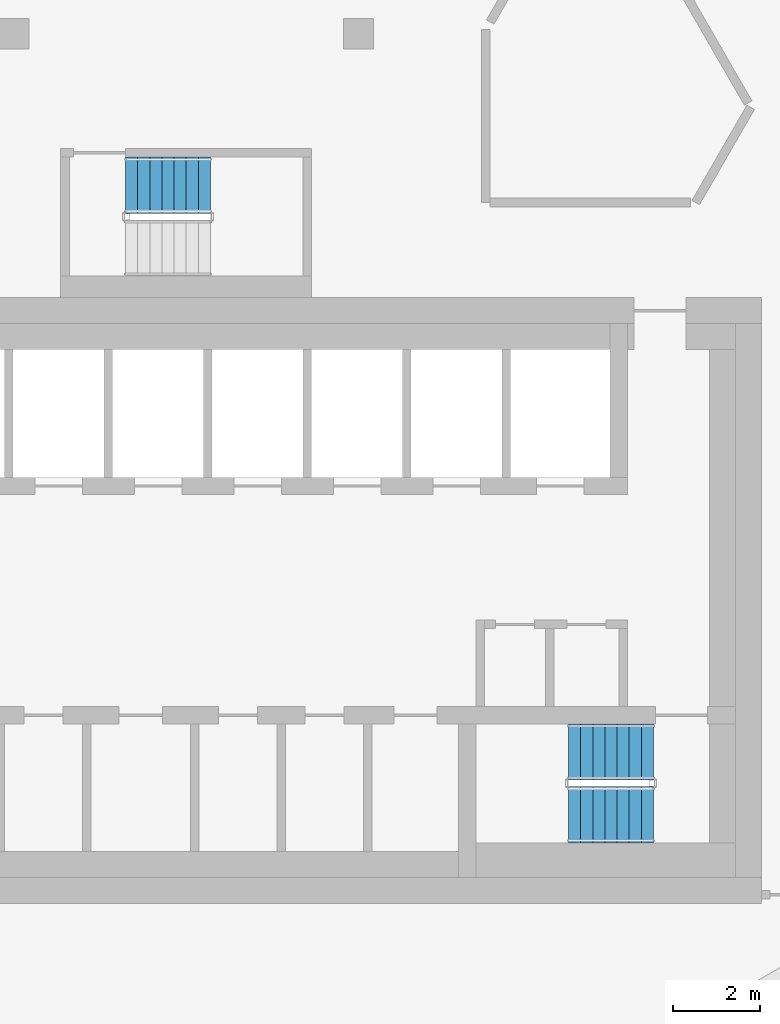
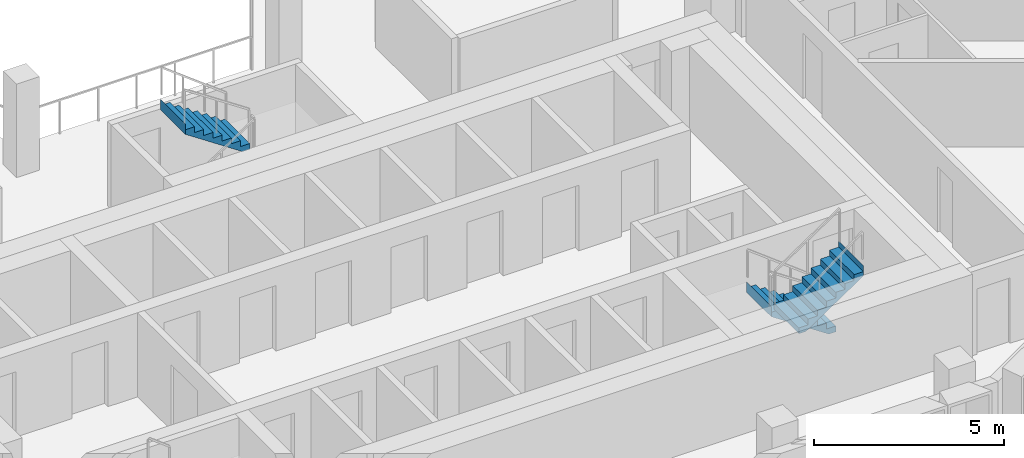
# One storey, part 10 of 15: 3 stair flights, 2 elements without a shape of their own.
"""IFC4 building model written with IfcOpenShell, lengths in metres."""

from ifc_helpers import new_model, si_unit, direction, frame, origin, place, context, subcontext, project, spatial, triangles, material, type_object, element, aggregate, save


model = new_model("IFC4")

# Units and contexts
model_context = context("Model", 3, precision=1e-05, world=origin(), true_north=direction((0.0, 1.0)))
body_context = subcontext(model_context, "Body", "Model", "MODEL_VIEW")
ifc_project = project(units=[si_unit("LENGTHUNIT", "METRE"), si_unit("AREAUNIT", "SQUARE_METRE"), si_unit("VOLUMEUNIT", "CUBIC_METRE"), si_unit("PLANEANGLEUNIT", "RADIAN"), si_unit("MASSUNIT", "GRAM", prefix="KILO")], contexts=[model_context])

# Site, building, storey
site_placement = place(None, origin())
site = spatial("IfcSite", under=ifc_project, at=site_placement, CompositionType="ELEMENT")
building_placement = place(site_placement, origin())
building = spatial("IfcBuilding", under=site, at=building_placement, Name="Beryl Residences", CompositionType="ELEMENT")
storey_placement = place(building_placement, frame((0.0, 0.0, 169.199951171875)))
storey = spatial("IfcBuildingStorey", under=building, at=storey_placement, Name="L51", CompositionType="ELEMENT", Elevation=169.199951171875)

# Stair, stair flights
ifc_material_1 = material(Name="Concrete C40/50", Category="concrete")
stair_type = type_object("IfcStairType", Name="ST1 protected exit stair, half-turn, 1300 mm flights", PredefinedType="HALF_TURN_STAIR", material=ifc_material_1)
stair_1_placement = place(storey_placement, origin())
stair_1 = element("IfcStair", 1, at=stair_1_placement, inside=storey, type_object=stair_type, Name="L51 PROTECTED EXIT STAIR ST-3", PredefinedType="HALF_TURN_STAIR")
ifc_material_2 = material(Name="Concrete C40/50", Category="concrete")
stair_flight_type = type_object("IfcStairFlightType", Name="SF1 stair flight 1300 mm", PredefinedType="STRAIGHT", material=ifc_material_2)
stair_flight_1_placement = place(storey_placement, frame((10.800048828125, -15.5, 0.0), z_axis=(0.0, 0.0, 1.0), x_axis=(-1.0, 0.0, 0.0)))
stair_flight_1 = element("IfcStairFlight", 2, at=stair_flight_1_placement, type_object=stair_flight_type, Name="ST-3 flight 1", NumberOfRisers=8, NumberOfTreads=7, PredefinedType="STRAIGHT", RiserHeight=0.1875, TreadLength=0.28, context=body_context, shape_type="Tessellation", body=[
    triangles([(0.0, -0.64990234375, 0.0), (0.0, -0.324951171875, 0.0), (0.0, 0.0, 0.0), (0.0, 0.324951171875, 0.0), (0.0, 0.64990234375, 0.0), (0.0, -0.64990234375, 0.1875), (0.0, -0.324951171875, 0.1875), (0.0, 0.0, 0.1875), (0.0, 0.324951171875, 0.1875), (0.0, 0.64990234375, 0.1875), (0.280029296875, -0.64990234375, 0.1875), (0.280029296875, -0.324951171875, 0.1875), (0.280029296875, 0.0, 0.1875), (0.280029296875, 0.324951171875, 0.1875), (0.280029296875, 0.64990234375, 0.1875), (0.280029296875, -0.64990234375, 0.375), (0.280029296875, -0.324951171875, 0.375), (0.280029296875, 0.0, 0.375), (0.280029296875, 0.324951171875, 0.375), (0.280029296875, 0.64990234375, 0.375), (0.56005859375, -0.64990234375, 0.375), (0.56005859375, -0.324951171875, 0.375), (0.56005859375, 0.0, 0.375), (0.56005859375, 0.324951171875, 0.375), (0.56005859375, 0.64990234375, 0.375), (0.56005859375, -0.64990234375, 0.5625), (0.56005859375, -0.324951171875, 0.5625), (0.56005859375, 0.0, 0.5625), (0.56005859375, 0.324951171875, 0.5625), (0.56005859375, 0.64990234375, 0.5625), (0.840087890625, -0.64990234375, 0.5625), (0.840087890625, -0.324951171875, 0.5625), (0.840087890625, 0.0, 0.5625), (0.840087890625, 0.324951171875, 0.5625), (0.840087890625, 0.64990234375, 0.5625), (0.840087890625, -0.64990234375, 0.75), (0.840087890625, -0.324951171875, 0.75), (0.840087890625, 0.0, 0.75), (0.840087890625, 0.324951171875, 0.75), (0.840087890625, 0.64990234375, 0.75), (1.1201171875, -0.64990234375, 0.75), (1.1201171875, -0.324951171875, 0.75), (1.1201171875, 0.0, 0.75), (1.1201171875, 0.324951171875, 0.75), (1.1201171875, 0.64990234375, 0.75), (1.1201171875, -0.64990234375, 0.9375), (1.1201171875, -0.324951171875, 0.9375), (1.1201171875, 0.0, 0.9375), (1.1201171875, 0.324951171875, 0.9375), (1.1201171875, 0.64990234375, 0.9375), (1.39990234375, -0.64990234375, 0.9375), (1.39990234375, -0.324951171875, 0.9375), (1.39990234375, 0.0, 0.9375), (1.39990234375, 0.324951171875, 0.9375), (1.39990234375, 0.64990234375, 0.9375), (1.39990234375, -0.64990234375, 1.125), (1.39990234375, -0.324951171875, 1.125), (1.39990234375, 0.0, 1.125), (1.39990234375, 0.324951171875, 1.125), (1.39990234375, 0.64990234375, 1.125), (1.679931640625, -0.64990234375, 1.125), (1.679931640625, -0.324951171875, 1.125), (1.679931640625, 0.0, 1.125), (1.679931640625, 0.324951171875, 1.125), (1.679931640625, 0.64990234375, 1.125), (1.679931640625, -0.64990234375, 1.3125), (1.679931640625, -0.324951171875, 1.3125), (1.679931640625, 0.0, 1.3125), (1.679931640625, 0.324951171875, 1.3125), (1.679931640625, 0.64990234375, 1.3125), (1.9599609375, -0.64990234375, 1.3125), (1.9599609375, -0.324951171875, 1.3125), (1.9599609375, 0.0, 1.3125), (1.9599609375, 0.324951171875, 1.3125), (1.9599609375, 0.64990234375, 1.3125), (1.9599609375, -0.64990234375, 1.5), (1.9599609375, -0.324951171875, 1.5), (1.9599609375, 0.0, 1.5), (1.9599609375, 0.324951171875, 1.5), (1.9599609375, 0.64990234375, 1.5), (1.9609375, -0.64990234375, 1.5), (1.9609375, -0.324951171875, 1.5), (1.9609375, 0.0, 1.5), (1.9609375, 0.324951171875, 1.5), (1.9609375, 0.64990234375, 1.5), (1.9609375, -0.64990234375, 1.16796875), (1.9609375, -0.324951171875, 1.16796875), (1.9609375, 0.0, 1.16796875), (1.9609375, 0.324951171875, 1.16796875), (1.9609375, 0.64990234375, 1.16796875), (0.216796875, -0.64990234375, 0.0), (0.216796875, -0.324951171875, 0.0), (0.216796875, 0.0, 0.0), (0.216796875, 0.324951171875, 0.0), (0.216796875, 0.64990234375, 0.0)], [[1, 6, 7], [1, 7, 2], [2, 7, 8], [2, 8, 3], [3, 8, 9], [3, 9, 4], [4, 9, 10], [4, 10, 5], [6, 11, 12], [6, 12, 7], [7, 12, 13], [7, 13, 8], [8, 13, 14], [8, 14, 9], [9, 14, 15], [9, 15, 10], [11, 16, 17], [11, 17, 12], [12, 17, 18], [12, 18, 13], [13, 18, 19], [13, 19, 14], [14, 19, 20], [14, 20, 15], [16, 21, 22], [16, 22, 17], [17, 22, 23], [17, 23, 18], [18, 23, 24], [18, 24, 19], [19, 24, 25], [19, 25, 20], [21, 26, 27], [21, 27, 22], [22, 27, 28], [22, 28, 23], [23, 28, 29], [23, 29, 24], [24, 29, 30], [24, 30, 25], [26, 31, 32], [26, 32, 27], [27, 32, 33], [27, 33, 28], [28, 33, 34], [28, 34, 29], [29, 34, 35], [29, 35, 30], [31, 36, 37], [31, 37, 32], [32, 37, 38], [32, 38, 33], [33, 38, 39], [33, 39, 34], [34, 39, 40], [34, 40, 35], [36, 41, 42], [36, 42, 37], [37, 42, 43], [37, 43, 38], [38, 43, 44], [38, 44, 39], [39, 44, 45], [39, 45, 40], [41, 46, 47], [41, 47, 42], [42, 47, 48], [42, 48, 43], [43, 48, 49], [43, 49, 44], [44, 49, 50], [44, 50, 45], [46, 51, 52], [46, 52, 47], [47, 52, 53], [47, 53, 48], [48, 53, 54], [48, 54, 49], [49, 54, 55], [49, 55, 50], [51, 56, 57], [51, 57, 52], [52, 57, 58], [52, 58, 53], [53, 58, 59], [53, 59, 54], [54, 59, 60], [54, 60, 55], [56, 61, 62], [56, 62, 57], [57, 62, 63], [57, 63, 58], [58, 63, 64], [58, 64, 59], [59, 64, 65], [59, 65, 60], [61, 66, 67], [61, 67, 62], [62, 67, 68], [62, 68, 63], [63, 68, 69], [63, 69, 64], [64, 69, 70], [64, 70, 65], [66, 71, 72], [66, 72, 67], [67, 72, 73], [67, 73, 68], [68, 73, 74], [68, 74, 69], [69, 74, 75], [69, 75, 70], [71, 76, 77], [71, 77, 72], [72, 77, 78], [72, 78, 73], [73, 78, 79], [73, 79, 74], [74, 79, 80], [74, 80, 75], [76, 81, 82], [76, 82, 77], [77, 82, 83], [77, 83, 78], [78, 83, 84], [78, 84, 79], [79, 84, 85], [79, 85, 80], [81, 86, 87], [81, 87, 82], [82, 87, 88], [82, 88, 83], [83, 88, 89], [83, 89, 84], [84, 89, 90], [84, 90, 85], [86, 91, 92], [86, 92, 87], [87, 92, 93], [87, 93, 88], [88, 93, 94], [88, 94, 89], [89, 94, 95], [89, 95, 90], [91, 1, 2], [91, 2, 92], [92, 2, 3], [92, 3, 93], [93, 3, 4], [93, 4, 94], [94, 4, 5], [94, 5, 95], [1, 91, 86], [5, 90, 95], [86, 81, 76], [90, 80, 85], [86, 76, 71], [90, 75, 80], [86, 71, 66], [90, 70, 75], [86, 66, 61], [90, 65, 70], [61, 56, 51], [65, 55, 60], [86, 61, 51], [90, 55, 65], [51, 46, 41], [55, 45, 50], [86, 51, 41], [90, 45, 55], [41, 36, 31], [45, 35, 40], [86, 41, 31], [90, 35, 45], [31, 26, 21], [35, 25, 30], [86, 31, 21], [90, 25, 35], [21, 16, 11], [25, 15, 20], [86, 21, 11], [90, 15, 25], [1, 86, 11], [5, 15, 90], [11, 6, 1], [15, 5, 10]], closed=True),
])
stair_flight_2_placement = place(storey_placement, frame((8.840087890625, -16.949951171875, 1.5), z_axis=(0.0, 0.0, 1.0), x_axis=(1.0, 0.0, 0.0)))
stair_flight_2 = element("IfcStairFlight", 3, at=stair_flight_2_placement, type_object=stair_flight_type, Name="ST-3 flight 2", NumberOfRisers=8, NumberOfTreads=7, PredefinedType="STRAIGHT", RiserHeight=0.1875, TreadLength=0.28, context=body_context, shape_type="Tessellation", body=[
    triangles([(0.0, -0.64990234375, 0.0), (0.0, -0.324951171875, 0.0), (0.0, 0.0, 0.0), (0.0, 0.324951171875, 0.0), (0.0, 0.64990234375, 0.0), (0.0, -0.64990234375, 0.1875), (0.0, -0.324951171875, 0.1875), (0.0, 0.0, 0.1875), (0.0, 0.324951171875, 0.1875), (0.0, 0.64990234375, 0.1875), (0.280029296875, -0.64990234375, 0.1875), (0.280029296875, -0.324951171875, 0.1875), (0.280029296875, 0.0, 0.1875), (0.280029296875, 0.324951171875, 0.1875), (0.280029296875, 0.64990234375, 0.1875), (0.280029296875, -0.64990234375, 0.375), (0.280029296875, -0.324951171875, 0.375), (0.280029296875, 0.0, 0.375), (0.280029296875, 0.324951171875, 0.375), (0.280029296875, 0.64990234375, 0.375), (0.56005859375, -0.64990234375, 0.375), (0.56005859375, -0.324951171875, 0.375), (0.56005859375, 0.0, 0.375), (0.56005859375, 0.324951171875, 0.375), (0.56005859375, 0.64990234375, 0.375), (0.56005859375, -0.64990234375, 0.5625), (0.56005859375, -0.324951171875, 0.5625), (0.56005859375, 0.0, 0.5625), (0.56005859375, 0.324951171875, 0.5625), (0.56005859375, 0.64990234375, 0.5625), (0.840087890625, -0.64990234375, 0.5625), (0.840087890625, -0.324951171875, 0.5625), (0.840087890625, 0.0, 0.5625), (0.840087890625, 0.324951171875, 0.5625), (0.840087890625, 0.64990234375, 0.5625), (0.840087890625, -0.64990234375, 0.75), (0.840087890625, -0.324951171875, 0.75), (0.840087890625, 0.0, 0.75), (0.840087890625, 0.324951171875, 0.75), (0.840087890625, 0.64990234375, 0.75), (1.1201171875, -0.64990234375, 0.75), (1.1201171875, -0.324951171875, 0.75), (1.1201171875, 0.0, 0.75), (1.1201171875, 0.324951171875, 0.75), (1.1201171875, 0.64990234375, 0.75), (1.1201171875, -0.64990234375, 0.9375), (1.1201171875, -0.324951171875, 0.9375), (1.1201171875, 0.0, 0.9375), (1.1201171875, 0.324951171875, 0.9375), (1.1201171875, 0.64990234375, 0.9375), (1.39990234375, -0.64990234375, 0.9375), (1.39990234375, -0.324951171875, 0.9375), (1.39990234375, 0.0, 0.9375), (1.39990234375, 0.324951171875, 0.9375), (1.39990234375, 0.64990234375, 0.9375), (1.39990234375, -0.64990234375, 1.125), (1.39990234375, -0.324951171875, 1.125), (1.39990234375, 0.0, 1.125), (1.39990234375, 0.324951171875, 1.125), (1.39990234375, 0.64990234375, 1.125), (1.679931640625, -0.64990234375, 1.125), (1.679931640625, -0.324951171875, 1.125), (1.679931640625, 0.0, 1.125), (1.679931640625, 0.324951171875, 1.125), (1.679931640625, 0.64990234375, 1.125), (1.679931640625, -0.64990234375, 1.3125), (1.679931640625, -0.324951171875, 1.3125), (1.679931640625, 0.0, 1.3125), (1.679931640625, 0.324951171875, 1.3125), (1.679931640625, 0.64990234375, 1.3125), (1.9599609375, -0.64990234375, 1.3125), (1.9599609375, -0.324951171875, 1.3125), (1.9599609375, 0.0, 1.3125), (1.9599609375, 0.324951171875, 1.3125), (1.9599609375, 0.64990234375, 1.3125), (1.9599609375, -0.64990234375, 1.5), (1.9599609375, -0.324951171875, 1.5), (1.9599609375, 0.0, 1.5), (1.9599609375, 0.324951171875, 1.5), (1.9599609375, 0.64990234375, 1.5), (1.9609375, -0.64990234375, 1.5), (1.9609375, -0.324951171875, 1.5), (1.9609375, 0.0, 1.5), (1.9609375, 0.324951171875, 1.5), (1.9609375, 0.64990234375, 1.5), (1.9609375, -0.64990234375, 1.16796875), (1.9609375, -0.324951171875, 1.16796875), (1.9609375, 0.0, 1.16796875), (1.9609375, 0.324951171875, 1.16796875), (1.9609375, 0.64990234375, 1.16796875), (0.216796875, -0.64990234375, 0.0), (0.216796875, -0.324951171875, 0.0), (0.216796875, 0.0, 0.0), (0.216796875, 0.324951171875, 0.0), (0.216796875, 0.64990234375, 0.0)], [[1, 6, 7], [1, 7, 2], [2, 7, 8], [2, 8, 3], [3, 8, 9], [3, 9, 4], [4, 9, 10], [4, 10, 5], [6, 11, 12], [6, 12, 7], [7, 12, 13], [7, 13, 8], [8, 13, 14], [8, 14, 9], [9, 14, 15], [9, 15, 10], [11, 16, 17], [11, 17, 12], [12, 17, 18], [12, 18, 13], [13, 18, 19], [13, 19, 14], [14, 19, 20], [14, 20, 15], [16, 21, 22], [16, 22, 17], [17, 22, 23], [17, 23, 18], [18, 23, 24], [18, 24, 19], [19, 24, 25], [19, 25, 20], [21, 26, 27], [21, 27, 22], [22, 27, 28], [22, 28, 23], [23, 28, 29], [23, 29, 24], [24, 29, 30], [24, 30, 25], [26, 31, 32], [26, 32, 27], [27, 32, 33], [27, 33, 28], [28, 33, 34], [28, 34, 29], [29, 34, 35], [29, 35, 30], [31, 36, 37], [31, 37, 32], [32, 37, 38], [32, 38, 33], [33, 38, 39], [33, 39, 34], [34, 39, 40], [34, 40, 35], [36, 41, 42], [36, 42, 37], [37, 42, 43], [37, 43, 38], [38, 43, 44], [38, 44, 39], [39, 44, 45], [39, 45, 40], [41, 46, 47], [41, 47, 42], [42, 47, 48], [42, 48, 43], [43, 48, 49], [43, 49, 44], [44, 49, 50], [44, 50, 45], [46, 51, 52], [46, 52, 47], [47, 52, 53], [47, 53, 48], [48, 53, 54], [48, 54, 49], [49, 54, 55], [49, 55, 50], [51, 56, 57], [51, 57, 52], [52, 57, 58], [52, 58, 53], [53, 58, 59], [53, 59, 54], [54, 59, 60], [54, 60, 55], [56, 61, 62], [56, 62, 57], [57, 62, 63], [57, 63, 58], [58, 63, 64], [58, 64, 59], [59, 64, 65], [59, 65, 60], [61, 66, 67], [61, 67, 62], [62, 67, 68], [62, 68, 63], [63, 68, 69], [63, 69, 64], [64, 69, 70], [64, 70, 65], [66, 71, 72], [66, 72, 67], [67, 72, 73], [67, 73, 68], [68, 73, 74], [68, 74, 69], [69, 74, 75], [69, 75, 70], [71, 76, 77], [71, 77, 72], [72, 77, 78], [72, 78, 73], [73, 78, 79], [73, 79, 74], [74, 79, 80], [74, 80, 75], [76, 81, 82], [76, 82, 77], [77, 82, 83], [77, 83, 78], [78, 83, 84], [78, 84, 79], [79, 84, 85], [79, 85, 80], [81, 86, 87], [81, 87, 82], [82, 87, 88], [82, 88, 83], [83, 88, 89], [83, 89, 84], [84, 89, 90], [84, 90, 85], [86, 91, 92], [86, 92, 87], [87, 92, 93], [87, 93, 88], [88, 93, 94], [88, 94, 89], [89, 94, 95], [89, 95, 90], [91, 1, 2], [91, 2, 92], [92, 2, 3], [92, 3, 93], [93, 3, 4], [93, 4, 94], [94, 4, 5], [94, 5, 95], [1, 91, 86], [5, 90, 95], [86, 81, 76], [90, 80, 85], [86, 76, 71], [90, 75, 80], [86, 71, 66], [90, 70, 75], [86, 66, 61], [90, 65, 70], [61, 56, 51], [65, 55, 60], [86, 61, 51], [90, 55, 65], [51, 46, 41], [55, 45, 50], [86, 51, 41], [90, 45, 55], [41, 36, 31], [45, 35, 40], [86, 41, 31], [90, 35, 45], [31, 26, 21], [35, 25, 30], [86, 31, 21], [90, 25, 35], [21, 16, 11], [25, 15, 20], [86, 21, 11], [90, 15, 25], [1, 86, 11], [5, 15, 90], [11, 6, 1], [15, 5, 10]], closed=True),
])
aggregate(stair_1, [stair_flight_1, stair_flight_2])

# Stair, stair flight
stair_2_placement = place(storey_placement, origin())
stair_2 = element("IfcStair", 4, at=stair_2_placement, inside=storey, type_object=stair_type, Name="L51 PROTECTED EXIT STAIR ST-4", PredefinedType="HALF_TURN_STAIR")
stair_flight_3_placement = place(storey_placement, frame((0.56005859375, -2.39990234375, 1.5), z_axis=(0.0, 0.0, 1.0), x_axis=(-1.0, 0.0, 0.0)))
stair_flight_3 = element("IfcStairFlight", 5, at=stair_flight_3_placement, type_object=stair_flight_type, Name="ST-4 flight 2", NumberOfRisers=8, NumberOfTreads=7, PredefinedType="STRAIGHT", RiserHeight=0.1875, TreadLength=0.28, context=body_context, shape_type="Tessellation", body=[
    triangles([(0.0, -0.64990234375, 0.0), (0.0, -0.324951171875, 0.0), (0.0, 0.0, 0.0), (0.0, 0.324951171875, 0.0), (0.0, 0.64990234375, 0.0), (0.0, -0.64990234375, 0.1875), (0.0, -0.324951171875, 0.1875), (0.0, 0.0, 0.1875), (0.0, 0.324951171875, 0.1875), (0.0, 0.64990234375, 0.1875), (0.280029296875, -0.64990234375, 0.1875), (0.280029296875, -0.324951171875, 0.1875), (0.280029296875, 0.0, 0.1875), (0.280029296875, 0.324951171875, 0.1875), (0.280029296875, 0.64990234375, 0.1875), (0.280029296875, -0.64990234375, 0.375), (0.280029296875, -0.324951171875, 0.375), (0.280029296875, 0.0, 0.375), (0.280029296875, 0.324951171875, 0.375), (0.280029296875, 0.64990234375, 0.375), (0.56005859375, -0.64990234375, 0.375), (0.56005859375, -0.324951171875, 0.375), (0.56005859375, 0.0, 0.375), (0.56005859375, 0.324951171875, 0.375), (0.56005859375, 0.64990234375, 0.375), (0.56005859375, -0.64990234375, 0.5625), (0.56005859375, -0.324951171875, 0.5625), (0.56005859375, 0.0, 0.5625), (0.56005859375, 0.324951171875, 0.5625), (0.56005859375, 0.64990234375, 0.5625), (0.840087890625, -0.64990234375, 0.5625), (0.840087890625, -0.324951171875, 0.5625), (0.840087890625, 0.0, 0.5625), (0.840087890625, 0.324951171875, 0.5625), (0.840087890625, 0.64990234375, 0.5625), (0.840087890625, -0.64990234375, 0.75), (0.840087890625, -0.324951171875, 0.75), (0.840087890625, 0.0, 0.75), (0.840087890625, 0.324951171875, 0.75), (0.840087890625, 0.64990234375, 0.75), (1.1201171875, -0.64990234375, 0.75), (1.1201171875, -0.324951171875, 0.75), (1.1201171875, 0.0, 0.75), (1.1201171875, 0.324951171875, 0.75), (1.1201171875, 0.64990234375, 0.75), (1.1201171875, -0.64990234375, 0.9375), (1.1201171875, -0.324951171875, 0.9375), (1.1201171875, 0.0, 0.9375), (1.1201171875, 0.324951171875, 0.9375), (1.1201171875, 0.64990234375, 0.9375), (1.39990234375, -0.64990234375, 0.9375), (1.39990234375, -0.324951171875, 0.9375), (1.39990234375, 0.0, 0.9375), (1.39990234375, 0.324951171875, 0.9375), (1.39990234375, 0.64990234375, 0.9375), (1.39990234375, -0.64990234375, 1.125), (1.39990234375, -0.324951171875, 1.125), (1.39990234375, 0.0, 1.125), (1.39990234375, 0.324951171875, 1.125), (1.39990234375, 0.64990234375, 1.125), (1.679931640625, -0.64990234375, 1.125), (1.679931640625, -0.324951171875, 1.125), (1.679931640625, 0.0, 1.125), (1.679931640625, 0.324951171875, 1.125), (1.679931640625, 0.64990234375, 1.125), (1.679931640625, -0.64990234375, 1.3125), (1.679931640625, -0.324951171875, 1.3125), (1.679931640625, 0.0, 1.3125), (1.679931640625, 0.324951171875, 1.3125), (1.679931640625, 0.64990234375, 1.3125), (1.9599609375, -0.64990234375, 1.3125), (1.9599609375, -0.324951171875, 1.3125), (1.9599609375, 0.0, 1.3125), (1.9599609375, 0.324951171875, 1.3125), (1.9599609375, 0.64990234375, 1.3125), (1.9599609375, -0.64990234375, 1.5), (1.9599609375, -0.324951171875, 1.5), (1.9599609375, 0.0, 1.5), (1.9599609375, 0.324951171875, 1.5), (1.9599609375, 0.64990234375, 1.5), (1.9609375, -0.64990234375, 1.5), (1.9609375, -0.324951171875, 1.5), (1.9609375, 0.0, 1.5), (1.9609375, 0.324951171875, 1.5), (1.9609375, 0.64990234375, 1.5), (1.9609375, -0.64990234375, 1.16796875), (1.9609375, -0.324951171875, 1.16796875), (1.9609375, 0.0, 1.16796875), (1.9609375, 0.324951171875, 1.16796875), (1.9609375, 0.64990234375, 1.16796875), (0.216796875, -0.64990234375, 0.0), (0.216796875, -0.324951171875, 0.0), (0.216796875, 0.0, 0.0), (0.216796875, 0.324951171875, 0.0), (0.216796875, 0.64990234375, 0.0)], [[1, 6, 7], [1, 7, 2], [2, 7, 8], [2, 8, 3], [3, 8, 9], [3, 9, 4], [4, 9, 10], [4, 10, 5], [6, 11, 12], [6, 12, 7], [7, 12, 13], [7, 13, 8], [8, 13, 14], [8, 14, 9], [9, 14, 15], [9, 15, 10], [11, 16, 17], [11, 17, 12], [12, 17, 18], [12, 18, 13], [13, 18, 19], [13, 19, 14], [14, 19, 20], [14, 20, 15], [16, 21, 22], [16, 22, 17], [17, 22, 23], [17, 23, 18], [18, 23, 24], [18, 24, 19], [19, 24, 25], [19, 25, 20], [21, 26, 27], [21, 27, 22], [22, 27, 28], [22, 28, 23], [23, 28, 29], [23, 29, 24], [24, 29, 30], [24, 30, 25], [26, 31, 32], [26, 32, 27], [27, 32, 33], [27, 33, 28], [28, 33, 34], [28, 34, 29], [29, 34, 35], [29, 35, 30], [31, 36, 37], [31, 37, 32], [32, 37, 38], [32, 38, 33], [33, 38, 39], [33, 39, 34], [34, 39, 40], [34, 40, 35], [36, 41, 42], [36, 42, 37], [37, 42, 43], [37, 43, 38], [38, 43, 44], [38, 44, 39], [39, 44, 45], [39, 45, 40], [41, 46, 47], [41, 47, 42], [42, 47, 48], [42, 48, 43], [43, 48, 49], [43, 49, 44], [44, 49, 50], [44, 50, 45], [46, 51, 52], [46, 52, 47], [47, 52, 53], [47, 53, 48], [48, 53, 54], [48, 54, 49], [49, 54, 55], [49, 55, 50], [51, 56, 57], [51, 57, 52], [52, 57, 58], [52, 58, 53], [53, 58, 59], [53, 59, 54], [54, 59, 60], [54, 60, 55], [56, 61, 62], [56, 62, 57], [57, 62, 63], [57, 63, 58], [58, 63, 64], [58, 64, 59], [59, 64, 65], [59, 65, 60], [61, 66, 67], [61, 67, 62], [62, 67, 68], [62, 68, 63], [63, 68, 69], [63, 69, 64], [64, 69, 70], [64, 70, 65], [66, 71, 72], [66, 72, 67], [67, 72, 73], [67, 73, 68], [68, 73, 74], [68, 74, 69], [69, 74, 75], [69, 75, 70], [71, 76, 77], [71, 77, 72], [72, 77, 78], [72, 78, 73], [73, 78, 79], [73, 79, 74], [74, 79, 80], [74, 80, 75], [76, 81, 82], [76, 82, 77], [77, 82, 83], [77, 83, 78], [78, 83, 84], [78, 84, 79], [79, 84, 85], [79, 85, 80], [81, 86, 87], [81, 87, 82], [82, 87, 88], [82, 88, 83], [83, 88, 89], [83, 89, 84], [84, 89, 90], [84, 90, 85], [86, 91, 92], [86, 92, 87], [87, 92, 93], [87, 93, 88], [88, 93, 94], [88, 94, 89], [89, 94, 95], [89, 95, 90], [91, 1, 2], [91, 2, 92], [92, 2, 3], [92, 3, 93], [93, 3, 4], [93, 4, 94], [94, 4, 5], [94, 5, 95], [1, 91, 86], [5, 90, 95], [86, 81, 76], [90, 80, 85], [86, 76, 71], [90, 75, 80], [86, 71, 66], [90, 70, 75], [86, 66, 61], [90, 65, 70], [61, 56, 51], [65, 55, 60], [86, 61, 51], [90, 55, 65], [51, 46, 41], [55, 45, 50], [86, 51, 41], [90, 45, 55], [41, 36, 31], [45, 35, 40], [86, 41, 31], [90, 35, 45], [31, 26, 21], [35, 25, 30], [86, 31, 21], [90, 25, 35], [21, 16, 11], [25, 15, 20], [86, 21, 11], [90, 15, 25], [1, 86, 11], [5, 15, 90], [11, 6, 1], [15, 5, 10]], closed=True),
])
aggregate(stair_2, [stair_flight_3])

save(model, "model.ifc")
